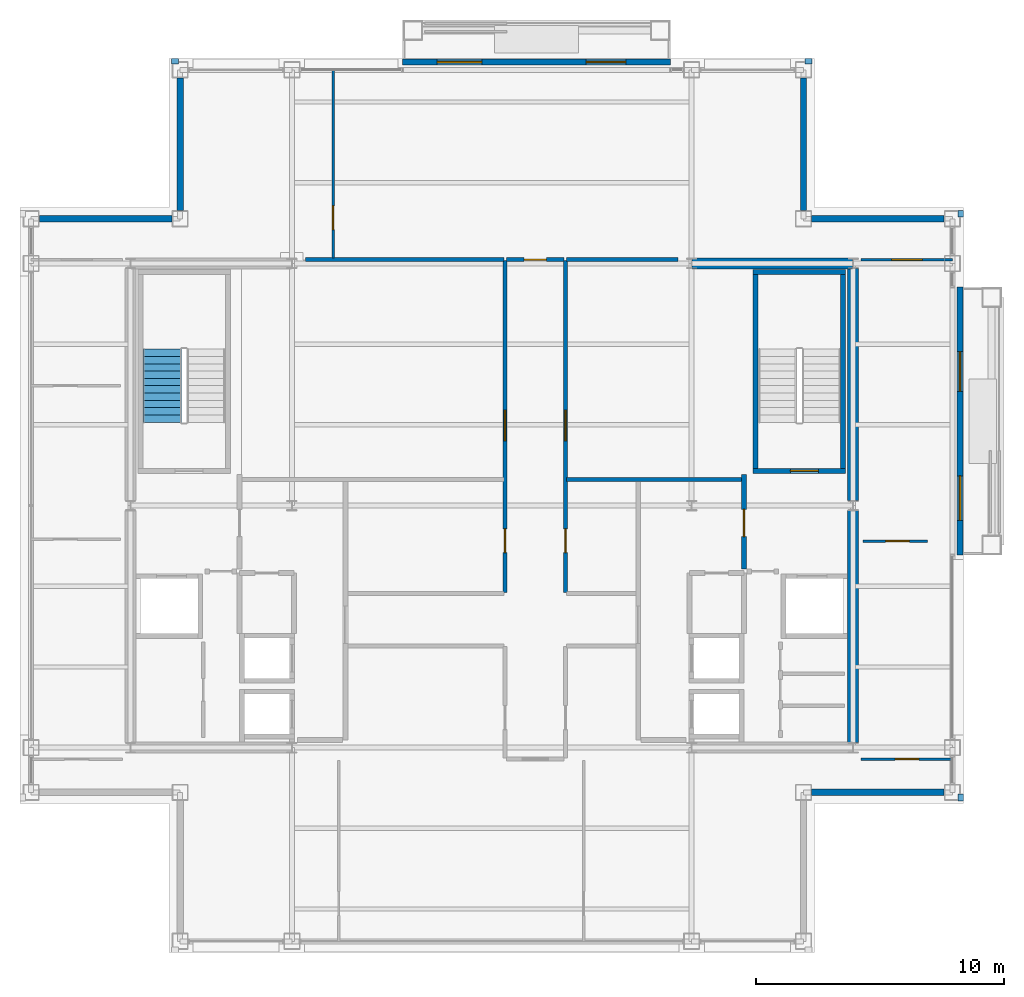
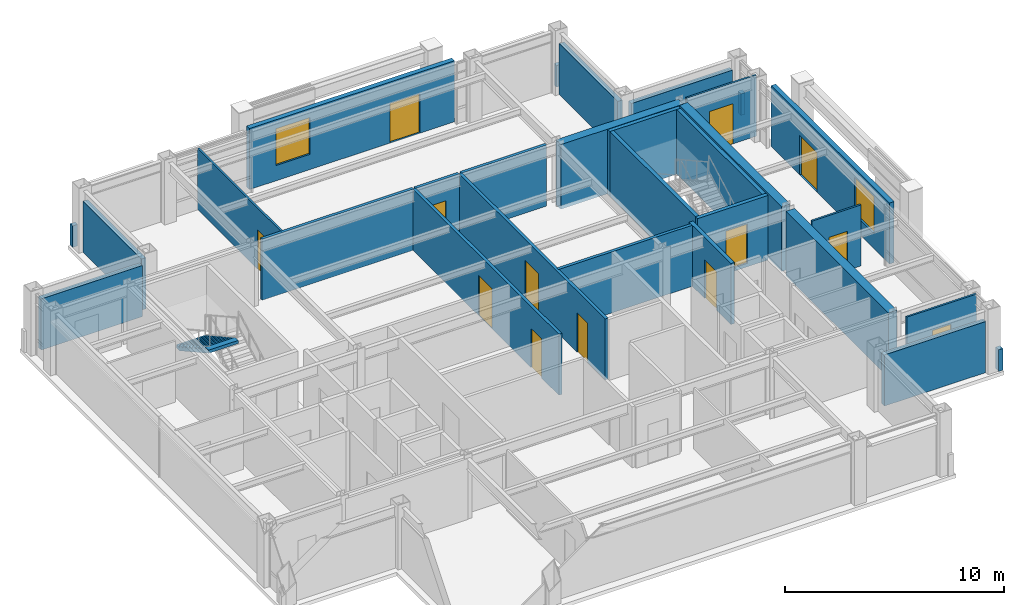
# One storey, part 21 of 24: 29 walls, 13 doors, 2 windows, 1 stair flight, 15 openings, 1 element without a shape of its own.
"""IFC4 building model written with IfcOpenShell, lengths in metres."""

from ifc_helpers import new_model, si_unit, direction, frame, frame_2d, origin, place, context, subcontext, project, spatial, polyline, rectangle, outline, extrude, material, layer, layer_set, type_object, element, fill, aggregate, save


model = new_model("IFC4")

# Units and contexts
model_context = context("Model", 3, precision=1e-05, world=origin(), true_north=direction((0.0, 1.0)))
body_context = subcontext(model_context, "Body", "Model", "MODEL_VIEW")
ifc_project = project(units=[si_unit("LENGTHUNIT", "METRE"), si_unit("AREAUNIT", "SQUARE_METRE"), si_unit("VOLUMEUNIT", "CUBIC_METRE"), si_unit("PLANEANGLEUNIT", "RADIAN"), si_unit("MASSUNIT", "GRAM", prefix="KILO")], contexts=[model_context])

# Site, building, storey
site_placement = place(None, origin())
site = spatial("IfcSite", under=ifc_project, at=site_placement, CompositionType="ELEMENT")
building_placement = place(site_placement, origin())
building = spatial("IfcBuilding", under=site, at=building_placement, Name="Brelmoor Portico Tower", CompositionType="ELEMENT")
storey_placement = place(building_placement, frame((0.0, 0.0, 240.0)))
storey = spatial("IfcBuildingStorey", under=building, at=storey_placement, Name="L63", CompositionType="ELEMENT", Elevation=240.0)

# Walls
ifc_material_1 = material(Name="Concrete C50", Category="concrete")
ifc_layer_1 = layer(ifc_material_1, 0.449951171875)
ifc_layer_set_1 = layer_set([ifc_layer_1], Name="Concrete C50")
wall_type_1 = type_object("IfcWallType", Name="WL-CORE-450", PredefinedType="SHEAR", material=ifc_layer_set_1)
wall_1_placement = place(storey_placement, frame((8.070068359375, 9.75, -0.199951171875), z_axis=(0.0, 0.0, 1.0), x_axis=(1.0, 0.0, 0.0)))
element("IfcWall", 1, at=wall_1_placement, inside=storey, type_object=wall_type_1, Name="L63 EC North Shear Wall", PredefinedType="SHEAR", context=body_context, shape_type="SweptSolid", body=[
    extrude(rectangle(XDim=6.4599609375, YDim=0.449951171875, at=frame_2d((3.22998046875, 0.0))), origin(), (0.0, 0.0, 1.0), 3.599853515625),
])
for number, where, z_axis, x_axis, name in (
    (2, (14.550048828125, -9.550048828125, -0.199951171875), (0.0, 0.0, 1.0), (0.0, 1.0, 0.0), "L63 EC Outer South Shear Wall"),
    (3, (14.550048828125, 0.199951171875, -0.199951171875), (0.0, 0.0, 1.0), (0.0, 1.0, 0.0), "L63 EC Outer North Shear Wall"),
):
    element("IfcWall", number, at=place(storey_placement, frame(where, z_axis=z_axis, x_axis=x_axis)), inside=storey, type_object=wall_type_1, Name=name, PredefinedType="SHEAR", context=body_context, shape_type="SweptSolid", body=[
        extrude(rectangle(XDim=9.35009765625, YDim=0.449951171875, at=frame_2d((4.675048828125, 0.0))), origin(), (0.0, 0.0, 1.0), 3.599853515625),
    ])

# Wall, openings, door, window
ifc_material_2 = material(Name="Precast Concrete C40 Insulated Facade Wall", Category="concrete")
ifc_layer_2 = layer(ifc_material_2, 0.25)
ifc_layer_set_2 = layer_set([ifc_layer_2], Name="Precast Concrete C40 Insulated Facade Wall")
wall_type_2 = type_object("IfcWallType", Name="WL-EXT-250", PredefinedType="STANDARD", material=ifc_layer_set_2)
wall_2_placement = place(storey_placement, frame((-3.60009765625, 17.860107421875, 0.0), z_axis=(0.0, 0.0, 1.0), x_axis=(1.0, 0.0, 0.0)))
wall_2 = element("IfcWall", 4, at=wall_2_placement, inside=storey, type_object=wall_type_2, Name="L63 Loggia Threshold Wall N-1", PredefinedType="STANDARD", context=body_context, shape_type="SweptSolid", body=[
    extrude(rectangle(XDim=10.800048828125, YDim=0.25, at=frame_2d((5.39990234375, 0.0))), origin(), (0.0, 0.0, 1.0), 3.39990234375),
])
opening_1_placement = place(wall_2_placement, frame((7.39990234375, 0.0, 0.0)))
opening_1 = element("IfcOpeningElement", 5, at=opening_1_placement, cuts=wall_2, Name="Opening D-TB1", PredefinedType="OPENING", context=body_context, shape_type="SweptSolid", body=[
    extrude(rectangle(XDim=1.60009765625, YDim=2.199951171875, at=frame_2d((0.800048828125, 1.10009765625))), frame((0.0, 0.135009765625, 0.0), z_axis=(0.0, -1.0, 0.0), x_axis=(1.0, 0.0, 0.0)), (0.0, 0.0, 1.0), 0.27001953125),
])
opening_2_placement = place(wall_2_placement, frame((1.39990234375, 0.0, 0.85009765625)))
opening_2 = element("IfcOpeningElement", 6, at=opening_2_placement, cuts=wall_2, Name="Opening W-03C", PredefinedType="OPENING", context=body_context, shape_type="SweptSolid", body=[
    extrude(rectangle(XDim=1.800048828125, YDim=2.050048828125, at=frame_2d((0.89990234375, 1.02490234375))), frame((0.0, 0.135009765625, 0.0), z_axis=(0.0, -1.0, 0.0), x_axis=(1.0, 0.0, 0.0)), (0.0, 0.0, 1.0), 0.27001953125),
])
ifc_material_3 = material(Name="Double-Leaf Thermally Broken Terrace Door", Category="aluminium")
door_type_1 = type_object("IfcDoorType", Name="DR-BALCONY-1600", OperationType="NOTDEFINED", PredefinedType="DOOR", material=ifc_material_3)
door_1_placement = place(opening_1_placement, origin())
door_1 = element("IfcDoor", 7, at=door_1_placement, inside=storey, type_object=door_type_1, Name="D-2621 L63 Tree Balcony Double Door N", OperationType="DOUBLE_DOOR_SINGLE_SWING", OverallHeight=2.199951171875, OverallWidth=1.60009765625, PredefinedType="DOOR", context=body_context, shape_type="SweptSolid", body=[
    extrude(rectangle(XDim=1.60009765625, YDim=2.199951171875, at=frame_2d((0.800048828125, 1.10009765625))), frame((0.0, 0.02490234375, 0.0), z_axis=(0.0, -1.0, 0.0), x_axis=(1.0, 0.0, 0.0)), (0.0, 0.0, 1.0), 0.050048828125),
])
fill(opening_1, door_1)
ifc_material_4 = material(Name="Thermally Broken Aluminium Low-E Window", Category="aluminium")
window_type = type_object("IfcWindowType", Name="WN-LOGGIA-1800x2050", PartitioningType="SINGLE_PANEL", PredefinedType="WINDOW", material=ifc_material_4)
window_1_placement = place(opening_2_placement, origin())
window_1 = element("IfcWindow", 8, at=window_1_placement, inside=storey, type_object=window_type, Name="L63 Loggia Window N", OverallHeight=2.050048828125, OverallWidth=1.800048828125, PartitioningType="SINGLE_PANEL", PredefinedType="WINDOW", context=body_context, shape_type="SweptSolid", body=[
    extrude(rectangle(XDim=1.800048828125, YDim=2.050048828125, at=frame_2d((0.89990234375, 1.02490234375))), frame((0.0, 0.030029296875, 0.0), z_axis=(0.0, -1.0, 0.0), x_axis=(1.0, 0.0, 0.0)), (0.0, 0.0, 1.0), 0.06005859375),
])
fill(opening_2, window_1)

wall_3_placement = place(storey_placement, frame((18.860107421875, -2.0, 0.0), z_axis=(0.0, 0.0, 1.0), x_axis=(0.0, 1.0, 0.0)))
wall_3 = element("IfcWall", 9, at=wall_3_placement, inside=storey, type_object=wall_type_2, Name="L63 Loggia Threshold Wall E-1", PredefinedType="STANDARD", context=body_context, shape_type="SweptSolid", body=[
    extrude(rectangle(XDim=10.800048828125, YDim=0.25, at=frame_2d((5.39990234375, 0.0))), origin(), (0.0, 0.0, 1.0), 3.39990234375),
])
opening_3_placement = place(wall_3_placement, frame((6.60009765625, 0.0, 0.0)))
opening_3 = element("IfcOpeningElement", 10, at=opening_3_placement, cuts=wall_3, Name="Opening D-TB1", PredefinedType="OPENING", context=body_context, shape_type="SweptSolid", body=[
    extrude(rectangle(XDim=1.60009765625, YDim=2.199951171875, at=frame_2d((0.800048828125, 1.10009765625))), frame((0.0, 0.135009765625, 0.0), z_axis=(0.0, -1.0, 0.0), x_axis=(1.0, 0.0, 0.0)), (0.0, 0.0, 1.0), 0.27001953125),
])
opening_4_placement = place(wall_3_placement, frame((1.39990234375, 0.0, 0.85009765625)))
opening_4 = element("IfcOpeningElement", 11, at=opening_4_placement, cuts=wall_3, Name="Opening W-03C", PredefinedType="OPENING", context=body_context, shape_type="SweptSolid", body=[
    extrude(rectangle(XDim=1.800048828125, YDim=2.050048828125, at=frame_2d((0.89990234375, 1.02490234375))), frame((0.0, 0.135009765625, 0.0), z_axis=(0.0, -1.0, 0.0), x_axis=(1.0, 0.0, 0.0)), (0.0, 0.0, 1.0), 0.27001953125),
])
door_2_placement = place(opening_3_placement, origin())
door_2 = element("IfcDoor", 12, at=door_2_placement, inside=storey, type_object=door_type_1, Name="D-2620 L63 Tree Balcony Double Door E", OperationType="DOUBLE_DOOR_SINGLE_SWING", OverallHeight=2.199951171875, OverallWidth=1.60009765625, PredefinedType="DOOR", context=body_context, shape_type="SweptSolid", body=[
    extrude(rectangle(XDim=1.60009765625, YDim=2.199951171875, at=frame_2d((0.800048828125, 1.10009765625))), frame((0.0, 0.02490234375, 0.0), z_axis=(0.0, -1.0, 0.0), x_axis=(1.0, 0.0, 0.0)), (0.0, 0.0, 1.0), 0.050048828125),
])
fill(opening_3, door_2)
window_2_placement = place(opening_4_placement, origin())
window_2 = element("IfcWindow", 13, at=window_2_placement, inside=storey, type_object=window_type, Name="L63 Loggia Window E", OverallHeight=2.050048828125, OverallWidth=1.800048828125, PartitioningType="SINGLE_PANEL", PredefinedType="WINDOW", context=body_context, shape_type="SweptSolid", body=[
    extrude(rectangle(XDim=1.800048828125, YDim=2.050048828125, at=frame_2d((0.89990234375, 1.02490234375))), frame((0.0, 0.030029296875, 0.0), z_axis=(0.0, -1.0, 0.0), x_axis=(1.0, 0.0, 0.0)), (0.0, 0.0, 1.0), 0.06005859375),
])
fill(opening_4, window_2)

# Walls
for number, where, z_axis, x_axis, name in (
    (14, (12.885009765625, -11.550048828125, 0.0), (0.0, 0.0, 1.0), (1.0, 0.0, 0.0), "L63 Corner Notch Facade Wall NSEH1"),
    (15, (-18.215087890625, 11.550048828125, 0.0), (0.0, 0.0, 1.0), (1.0, 0.0, 0.0), "L63 Corner Notch Facade Wall NNWH1"),
    (16, (-12.550048828125, 11.885009765625, 0.0), (0.0, 0.0, 1.0), (0.0, 1.0, 0.0), "L63 Corner Notch Facade Wall NNWV1"),
    (17, (12.885009765625, 11.550048828125, 0.0), (0.0, 0.0, 1.0), (1.0, 0.0, 0.0), "L63 Corner Notch Facade Wall NNEH1"),
    (18, (12.550048828125, 11.885009765625, 0.0), (0.0, 0.0, 1.0), (0.0, 1.0, 0.0), "L63 Corner Notch Facade Wall NNEV1"),
):
    element("IfcWall", number, at=place(storey_placement, frame(where, z_axis=z_axis, x_axis=x_axis)), inside=storey, type_object=wall_type_2, Name=name, PredefinedType="STANDARD", context=body_context, shape_type="SweptSolid", body=[
        extrude(rectangle(XDim=5.330078125, YDim=0.25, at=frame_2d((2.6650390625, 0.0))), origin(), (0.0, 0.0, 1.0), 2.85009765625),
    ])
ifc_material_5 = material(Name="Concrete C40 Parapet Upstand", Category="concrete")
ifc_layer_3 = layer(ifc_material_5, 0.219970703125)
ifc_layer_set_3 = layer_set([ifc_layer_3], Name="Concrete C40 Parapet Upstand")
wall_type_3 = type_object("IfcWallType", Name="WL-PARAPET-220", PredefinedType="PARAPET", material=ifc_layer_set_3)
for number, where, z_axis, x_axis, name in (
    (19, (18.889892578125, -11.889892578125, 0.0), (0.0, 0.0, 1.0), (0.0, 1.0, 0.0), "L63 Chamfer Vertex Parapet Pier SE2"),
    (20, (-12.889892578125, 17.889892578125, 0.0), (0.0, 0.0, 1.0), (1.0, 0.0, 0.0), "L63 Chamfer Vertex Parapet Pier NW1"),
    (21, (12.6201171875, 17.889892578125, 0.0), (0.0, 0.0, 1.0), (1.0, 0.0, 0.0), "L63 Chamfer Vertex Parapet Pier NE1"),
    (22, (18.889892578125, 11.6201171875, 0.0), (0.0, 0.0, 1.0), (0.0, 1.0, 0.0), "L63 Chamfer Vertex Parapet Pier NE2"),
):
    element("IfcWall", number, at=place(storey_placement, frame(where, z_axis=z_axis, x_axis=x_axis)), inside=storey, type_object=wall_type_3, Name=name, PredefinedType="PARAPET", context=body_context, shape_type="SweptSolid", body=[
        extrude(rectangle(XDim=0.269775390625, YDim=0.219970703125, at=frame_2d((0.134765625, 0.0))), origin(), (0.0, 0.0, 1.0), 1.199951171875),
    ])

# Wall, opening, door
ifc_material_6 = material(Name="Demountable Glazed Office Partition", Category="aluminium")
ifc_layer_4 = layer(ifc_material_6, 0.10009765625)
ifc_layer_set_4 = layer_set([ifc_layer_4], Name="Demountable Glazed Office Partition")
wall_type_4 = type_object("IfcWallType", Name="WL-PART-100", PredefinedType="PARTITIONING", material=ifc_layer_set_4)
wall_4_placement = place(storey_placement, frame((-6.3896484375, 9.9599609375, 0.0), z_axis=(0.0, 0.0, 1.0), x_axis=(0.0, 1.0, 0.0)))
wall_4 = element("IfcWall", 23, at=wall_4_placement, inside=storey, type_object=wall_type_4, Name="L63 North Suite Partition 1", PredefinedType="PARTITIONING", context=body_context, shape_type="SweptSolid", body=[
    extrude(rectangle(XDim=7.60009765625, YDim=0.10009765625, at=frame_2d((3.800048828125, 0.0))), origin(), (0.0, 0.0, 1.0), 3.39990234375),
])
opening_5_placement = place(wall_4_placement, frame((1.14990234375, 0.0, 0.0)))
opening_5 = element("IfcOpeningElement", 24, at=opening_5_placement, cuts=wall_4, Name="Opening D-IN2", PredefinedType="OPENING", context=body_context, shape_type="SweptSolid", body=[
    extrude(rectangle(XDim=0.9599609375, YDim=2.179931640625, at=frame_2d((0.47998046875, 1.08984375))), frame((0.0, 0.06005859375, 0.0), z_axis=(0.0, -1.0, 0.0), x_axis=(1.0, 0.0, 0.0)), (0.0, 0.0, 1.0), 0.1201171875),
])
ifc_material_7 = material(Name="Lacquered Timber Suite Door", Category="wood")
door_type_2 = type_object("IfcDoorType", Name="DR-INT-950", OperationType="NOTDEFINED", PredefinedType="DOOR", material=ifc_material_7)
door_3_placement = place(opening_5_placement, origin())
door_3 = element("IfcDoor", 25, at=door_3_placement, inside=storey, type_object=door_type_2, Name="D-2610 L63 North Suite Connecting Door 1", OperationType="SINGLE_SWING_RIGHT", OverallHeight=2.179931640625, OverallWidth=0.9599609375, PredefinedType="DOOR", context=body_context, shape_type="SweptSolid", body=[
    extrude(rectangle(XDim=0.9599609375, YDim=2.179931640625, at=frame_2d((0.47998046875, 1.08984375))), frame((0.0, 0.02490234375, 0.0), z_axis=(0.0, -1.0, 0.0), x_axis=(1.0, 0.0, 0.0)), (0.0, 0.0, 1.0), 0.050048828125),
])
fill(opening_5, door_3)

wall_5_placement = place(storey_placement, frame((14.8798828125, 9.89990234375, 0.0), z_axis=(0.0, 0.0, 1.0), x_axis=(1.0, 0.0, 0.0)))
wall_5 = element("IfcWall", 26, at=wall_5_placement, inside=storey, type_object=wall_type_4, Name="L63 North Wing Suite Wall ER", PredefinedType="PARTITIONING", context=body_context, shape_type="SweptSolid", body=[
    extrude(rectangle(XDim=3.68017578125, YDim=0.10009765625, at=frame_2d((1.840087890625, 0.0))), origin(), (0.0, 0.0, 1.0), 3.39990234375),
])
opening_6_placement = place(wall_5_placement, frame((1.219970703125, 0.0, 0.0)))
opening_6 = element("IfcOpeningElement", 27, at=opening_6_placement, cuts=wall_5, Name="Opening D-SU1", PredefinedType="OPENING", context=body_context, shape_type="SweptSolid", body=[
    extrude(rectangle(XDim=1.239990234375, YDim=2.239990234375, at=frame_2d((0.6201171875, 1.1201171875))), frame((0.0, 0.06005859375, 0.0), z_axis=(0.0, -1.0, 0.0), x_axis=(1.0, 0.0, 0.0)), (0.0, 0.0, 1.0), 0.1201171875),
])
ifc_material_8 = material(Name="Glazed Timber Executive Suite Door", Category="wood")
door_type_3 = type_object("IfcDoorType", Name="DR-SUITE-1200", OperationType="NOTDEFINED", PredefinedType="DOOR", material=ifc_material_8)
door_4_placement = place(opening_6_placement, origin())
door_4 = element("IfcDoor", 28, at=door_4_placement, inside=storey, type_object=door_type_3, Name="D-2611 L63 ER Wing Suite Connecting Door", OperationType="SINGLE_SWING_LEFT", OverallHeight=2.239990234375, OverallWidth=1.239990234375, PredefinedType="DOOR", context=body_context, shape_type="SweptSolid", body=[
    extrude(rectangle(XDim=1.239990234375, YDim=2.239990234375, at=frame_2d((0.6201171875, 1.1201171875))), frame((0.0, 0.02490234375, 0.0), z_axis=(0.0, -1.0, 0.0), x_axis=(1.0, 0.0, 0.0)), (0.0, 0.0, 1.0), 0.050048828125),
])
fill(opening_6, door_4)

wall_6_placement = place(storey_placement, frame((14.8798828125, -10.2099609375, 0.0), z_axis=(0.0, 0.0, 1.0), x_axis=(1.0, 0.0, 0.0)))
wall_6 = element("IfcWall", 29, at=wall_6_placement, inside=storey, type_object=wall_type_4, Name="L63 South Wing Closure ER", PredefinedType="PARTITIONING", context=body_context, shape_type="SweptSolid", body=[
    extrude(rectangle(XDim=3.68017578125, YDim=0.10009765625, at=frame_2d((1.840087890625, 0.0))), origin(), (0.0, 0.0, 1.0), 3.39990234375),
])
opening_7_placement = place(wall_6_placement, frame((1.360107421875, 0.0, 0.0)))
opening_7 = element("IfcOpeningElement", 30, at=opening_7_placement, cuts=wall_6, Name="Opening D-IN2", PredefinedType="OPENING", context=body_context, shape_type="SweptSolid", body=[
    extrude(rectangle(XDim=0.9599609375, YDim=2.179931640625, at=frame_2d((0.47998046875, 1.08984375))), frame((0.0, 0.06005859375, 0.0), z_axis=(0.0, -1.0, 0.0), x_axis=(1.0, 0.0, 0.0)), (0.0, 0.0, 1.0), 0.1201171875),
])
door_5_placement = place(opening_7_placement, origin())
door_5 = element("IfcDoor", 31, at=door_5_placement, inside=storey, type_object=door_type_2, Name="D-2618 L63 ER Wing South Suite Door", OperationType="SINGLE_SWING_RIGHT", OverallHeight=2.179931640625, OverallWidth=0.9599609375, PredefinedType="DOOR", context=body_context, shape_type="SweptSolid", body=[
    extrude(rectangle(XDim=0.9599609375, YDim=2.179931640625, at=frame_2d((0.47998046875, 1.08984375))), frame((0.0, 0.02490234375, 0.0), z_axis=(0.0, -1.0, 0.0), x_axis=(1.0, 0.0, 0.0)), (0.0, 0.0, 1.0), 0.050048828125),
])
fill(opening_7, door_5)

wall_7_placement = place(storey_placement, frame((14.9599609375, -1.429931640625, 0.0), z_axis=(0.0, 0.0, 1.0), x_axis=(1.0, 0.0, 0.0)))
wall_7 = element("IfcWall", 32, at=wall_7_placement, inside=storey, type_object=wall_type_4, Name="L63 E Wing Partition 1", PredefinedType="PARTITIONING", context=body_context, shape_type="SweptSolid", body=[
    extrude(rectangle(XDim=2.590087890625, YDim=0.10009765625, at=frame_2d((1.294921875, 0.0))), origin(), (0.0, 0.0, 1.0), 3.39990234375),
])
opening_8_placement = place(wall_7_placement, frame((0.89990234375, 0.0, 0.0)))
opening_8 = element("IfcOpeningElement", 33, at=opening_8_placement, cuts=wall_7, Name="Opening D-IN2", PredefinedType="OPENING", context=body_context, shape_type="SweptSolid", body=[
    extrude(rectangle(XDim=0.9599609375, YDim=2.179931640625, at=frame_2d((0.47998046875, 1.08984375))), frame((0.0, 0.06005859375, 0.0), z_axis=(0.0, -1.0, 0.0), x_axis=(1.0, 0.0, 0.0)), (0.0, 0.0, 1.0), 0.1201171875),
])
door_6_placement = place(opening_8_placement, origin())
door_6 = element("IfcDoor", 34, at=door_6_placement, inside=storey, type_object=door_type_2, Name="D-2622 L63 E Wing Suite Connecting Door 1", OperationType="SINGLE_SWING_LEFT", OverallHeight=2.179931640625, OverallWidth=0.9599609375, PredefinedType="DOOR", context=body_context, shape_type="SweptSolid", body=[
    extrude(rectangle(XDim=0.9599609375, YDim=2.179931640625, at=frame_2d((0.47998046875, 1.08984375))), frame((0.0, 0.02490234375, 0.0), z_axis=(0.0, -1.0, 0.0), x_axis=(1.0, 0.0, 0.0)), (0.0, 0.0, 1.0), 0.050048828125),
])
fill(opening_8, door_6)

# Wall, openings, doors
ifc_material_9 = material(Name="Twin-Frame Acoustic Partition", Category="gypsum")
ifc_layer_5 = layer(ifc_material_9, 0.159912109375)
ifc_layer_set_5 = layer_set([ifc_layer_5], Name="Twin-Frame Acoustic Partition")
wall_type_5 = type_object("IfcWallType", Name="WL-PART-160", PredefinedType="PARTITIONING", material=ifc_layer_set_5)
wall_8_placement = place(storey_placement, frame((0.530029296875, -3.5, 0.0), z_axis=(0.0, 0.0, 1.0), x_axis=(0.0, 1.0, 0.0)))
wall_8 = element("IfcWall", 35, at=wall_8_placement, inside=storey, type_object=wall_type_5, Name="L63 Central Cross West Wall", PredefinedType="PARTITIONING", context=body_context, shape_type="SweptSolid", body=[
    extrude(rectangle(XDim=13.360107421875, YDim=0.159912109375, at=frame_2d((6.68017578125, 0.0))), origin(), (0.0, 0.0, 1.0), 3.39990234375),
])
opening_9_placement = place(wall_8_placement, frame((6.10009765625, 0.0, 0.0)))
opening_9 = element("IfcOpeningElement", 36, at=opening_9_placement, cuts=wall_8, Name="Opening D-SU1", PredefinedType="OPENING", context=body_context, shape_type="SweptSolid", body=[
    extrude(rectangle(XDim=1.239990234375, YDim=2.239990234375, at=frame_2d((0.6201171875, 1.1201171875))), frame((0.0, 0.08984375, 0.0), z_axis=(0.0, -1.0, 0.0), x_axis=(1.0, 0.0, 0.0)), (0.0, 0.0, 1.0), 0.179931640625),
])
opening_10_placement = place(wall_8_placement, frame((1.60009765625, 0.0, 0.0)))
opening_10 = element("IfcOpeningElement", 37, at=opening_10_placement, cuts=wall_8, Name="Opening D-IN2", PredefinedType="OPENING", context=body_context, shape_type="SweptSolid", body=[
    extrude(rectangle(XDim=0.9599609375, YDim=2.179931640625, at=frame_2d((0.47998046875, 1.08984375))), frame((0.0, 0.08984375, 0.0), z_axis=(0.0, -1.0, 0.0), x_axis=(1.0, 0.0, 0.0)), (0.0, 0.0, 1.0), 0.179931640625),
])
door_7_placement = place(opening_10_placement, origin())
door_7 = element("IfcDoor", 38, at=door_7_placement, inside=storey, type_object=door_type_2, Name="D-2595 L63 Staff Pantry Door", OperationType="SINGLE_SWING_LEFT", OverallHeight=2.179931640625, OverallWidth=0.9599609375, PredefinedType="DOOR", context=body_context, shape_type="SweptSolid", body=[
    extrude(rectangle(XDim=0.9599609375, YDim=2.179931640625, at=frame_2d((0.47998046875, 1.08984375))), frame((0.0, 0.02490234375, 0.0), z_axis=(0.0, -1.0, 0.0), x_axis=(1.0, 0.0, 0.0)), (0.0, 0.0, 1.0), 0.050048828125),
])
fill(opening_10, door_7)
door_8_placement = place(opening_9_placement, origin())
door_8 = element("IfcDoor", 39, at=door_8_placement, inside=storey, type_object=door_type_3, Name="D-2596 L63 West Reclaimed Studio Door", OperationType="SINGLE_SWING_RIGHT", OverallHeight=2.239990234375, OverallWidth=1.239990234375, PredefinedType="DOOR", context=body_context, shape_type="SweptSolid", body=[
    extrude(rectangle(XDim=1.239990234375, YDim=2.239990234375, at=frame_2d((0.6201171875, 1.1201171875))), frame((0.0, 0.02490234375, 0.0), z_axis=(0.0, -1.0, 0.0), x_axis=(1.0, 0.0, 0.0)), (0.0, 0.0, 1.0), 0.050048828125),
])
fill(opening_9, door_8)

# Walls
wall_9_placement = place(storey_placement, frame((-7.5, 9.89990234375, 0.0), z_axis=(0.0, 0.0, 1.0), x_axis=(1.0, 0.0, 0.0)))
element("IfcWall", 40, at=wall_9_placement, inside=storey, type_object=wall_type_5, Name="L63 West Reclaimed Suite North Wall", PredefinedType="PARTITIONING", context=body_context, shape_type="SweptSolid", body=[
    extrude(rectangle(XDim=7.989990234375, YDim=0.159912109375, at=frame_2d((3.9951171875, 0.0))), origin(), (0.0, 0.0, 1.0), 3.39990234375),
])
wall_10_placement = place(storey_placement, frame((3.010009765625, 1.050048828125, 0.0), z_axis=(0.0, 0.0, 1.0), x_axis=(1.0, 0.0, 0.0)))
element("IfcWall", 41, at=wall_10_placement, inside=storey, type_object=wall_type_5, Name="L63 East Suite South Wall", PredefinedType="PARTITIONING", context=body_context, shape_type="SweptSolid", body=[
    extrude(rectangle(XDim=7.050048828125, YDim=0.159912109375, at=frame_2d((3.52490234375, 0.0))), origin(), (0.0, 0.0, 1.0), 3.39990234375),
])

# Wall, openings, doors
wall_11_placement = place(storey_placement, frame((2.969970703125, -3.5, 0.0), z_axis=(0.0, 0.0, 1.0), x_axis=(0.0, 1.0, 0.0)))
wall_11 = element("IfcWall", 42, at=wall_11_placement, inside=storey, type_object=wall_type_5, Name="L63 Central Cross East Wall", PredefinedType="PARTITIONING", context=body_context, shape_type="SweptSolid", body=[
    extrude(rectangle(XDim=13.360107421875, YDim=0.159912109375, at=frame_2d((6.68017578125, 0.0))), origin(), (0.0, 0.0, 1.0), 3.39990234375),
])
opening_11_placement = place(wall_11_placement, frame((6.10009765625, 0.0, 0.0)))
opening_11 = element("IfcOpeningElement", 43, at=opening_11_placement, cuts=wall_11, Name="Opening D-SU1", PredefinedType="OPENING", context=body_context, shape_type="SweptSolid", body=[
    extrude(rectangle(XDim=1.239990234375, YDim=2.239990234375, at=frame_2d((0.6201171875, 1.1201171875))), frame((0.0, 0.08984375, 0.0), z_axis=(0.0, -1.0, 0.0), x_axis=(1.0, 0.0, 0.0)), (0.0, 0.0, 1.0), 0.179931640625),
])
opening_12_placement = place(wall_11_placement, frame((1.60009765625, 0.0, 0.0)))
opening_12 = element("IfcOpeningElement", 44, at=opening_12_placement, cuts=wall_11, Name="Opening D-IN2", PredefinedType="OPENING", context=body_context, shape_type="SweptSolid", body=[
    extrude(rectangle(XDim=0.9599609375, YDim=2.179931640625, at=frame_2d((0.47998046875, 1.08984375))), frame((0.0, 0.08984375, 0.0), z_axis=(0.0, -1.0, 0.0), x_axis=(1.0, 0.0, 0.0)), (0.0, 0.0, 1.0), 0.179931640625),
])
door_9_placement = place(opening_12_placement, origin())
door_9 = element("IfcDoor", 45, at=door_9_placement, inside=storey, type_object=door_type_2, Name="D-2591 L63 Client Project Office Door", OperationType="SINGLE_SWING_LEFT", OverallHeight=2.179931640625, OverallWidth=0.9599609375, PredefinedType="DOOR", context=body_context, shape_type="SweptSolid", body=[
    extrude(rectangle(XDim=0.9599609375, YDim=2.179931640625, at=frame_2d((0.47998046875, 1.08984375))), frame((0.0, 0.02490234375, 0.0), z_axis=(0.0, -1.0, 0.0), x_axis=(1.0, 0.0, 0.0)), (0.0, 0.0, 1.0), 0.050048828125),
])
fill(opening_12, door_9)
door_10_placement = place(opening_11_placement, origin())
door_10 = element("IfcDoor", 46, at=door_10_placement, inside=storey, type_object=door_type_3, Name="D-2592 L63 East Reclaimed Studio Door", OperationType="SINGLE_SWING_RIGHT", OverallHeight=2.239990234375, OverallWidth=1.239990234375, PredefinedType="DOOR", context=body_context, shape_type="SweptSolid", body=[
    extrude(rectangle(XDim=1.239990234375, YDim=2.239990234375, at=frame_2d((0.6201171875, 1.1201171875))), frame((0.0, 0.02490234375, 0.0), z_axis=(0.0, -1.0, 0.0), x_axis=(1.0, 0.0, 0.0)), (0.0, 0.0, 1.0), 0.050048828125),
])
fill(opening_11, door_10)

# Wall
wall_12_placement = place(storey_placement, frame((3.010009765625, 9.89990234375, 0.0), z_axis=(0.0, 0.0, 1.0), x_axis=(1.0, 0.0, 0.0)))
element("IfcWall", 47, at=wall_12_placement, inside=storey, type_object=wall_type_5, Name="L63 East Suite North Wall", PredefinedType="PARTITIONING", context=body_context, shape_type="SweptSolid", body=[
    extrude(rectangle(XDim=4.489990234375, YDim=0.159912109375, at=frame_2d((2.2451171875, 0.0))), origin(), (0.0, 0.0, 1.0), 3.39990234375),
])

# Wall, opening, door
wall_13_placement = place(storey_placement, frame((0.60009765625, 9.89990234375, 0.0), z_axis=(0.0, 0.0, 1.0), x_axis=(1.0, 0.0, 0.0)))
wall_13 = element("IfcWall", 48, at=wall_13_placement, inside=storey, type_object=wall_type_5, Name="L63 North Corridor Partition", PredefinedType="PARTITIONING", context=body_context, shape_type="SweptSolid", body=[
    extrude(rectangle(XDim=2.2998046875, YDim=0.159912109375, at=frame_2d((1.14990234375, 0.0))), origin(), (0.0, 0.0, 1.0), 3.39990234375),
])
opening_13_placement = place(wall_13_placement, frame((0.699951171875, 0.0, 0.0)))
opening_13 = element("IfcOpeningElement", 49, at=opening_13_placement, cuts=wall_13, Name="Opening D-IN1", PredefinedType="OPENING", context=body_context, shape_type="SweptSolid", body=[
    extrude(rectangle(XDim=0.89990234375, YDim=2.14990234375, at=frame_2d((0.449951171875, 1.074951171875))), frame((0.0, 0.08984375, 0.0), z_axis=(0.0, -1.0, 0.0), x_axis=(1.0, 0.0, 0.0)), (0.0, 0.0, 1.0), 0.179931640625),
])
door_type_4 = type_object("IfcDoorType", Name="DR-INT-900", OperationType="NOTDEFINED", PredefinedType="DOOR", material=ifc_material_7)
door_11_placement = place(opening_13_placement, origin())
door_11 = element("IfcDoor", 50, at=door_11_placement, inside=storey, type_object=door_type_4, Name="D-2609 L63 North Design Workshop 2 Door", OperationType="SINGLE_SWING_LEFT", OverallHeight=2.14990234375, OverallWidth=0.89990234375, PredefinedType="DOOR", context=body_context, shape_type="SweptSolid", body=[
    extrude(rectangle(XDim=0.89990234375, YDim=2.14990234375, at=frame_2d((0.449951171875, 1.074951171875))), frame((0.0, 0.02490234375, 0.0), z_axis=(0.0, -1.0, 0.0), x_axis=(1.0, 0.0, 0.0)), (0.0, 0.0, 1.0), 0.050048828125),
])
fill(opening_13, door_11)

ifc_material_10 = material(Name="Double-Stud Gypsum Fire Partition", Category="gypsum")
ifc_layer_6 = layer(ifc_material_10, 0.199951171875)
ifc_layer_set_6 = layer_set([ifc_layer_6], Name="Double-Stud Gypsum Fire Partition")
wall_type_6 = type_object("IfcWallType", Name="WL-PART-200", PredefinedType="PARTITIONING", material=ifc_layer_set_6)
wall_14_placement = place(storey_placement, frame((10.159912109375, -2.550048828125, 0.0), z_axis=(0.0, 0.0, 1.0), x_axis=(0.0, 1.0, 0.0)))
wall_14 = element("IfcWall", 51, at=wall_14_placement, inside=storey, type_object=wall_type_6, Name="L63 E Firefighting Lobby Wall", PredefinedType="PARTITIONING", context=body_context, shape_type="SweptSolid", body=[
    extrude(rectangle(XDim=3.800048828125, YDim=0.199951171875, at=frame_2d((1.89990234375, 0.0))), origin(), (0.0, 0.0, 1.0), 3.39990234375),
])
opening_14_placement = place(wall_14_placement, frame((1.300048828125, 0.0, 0.0)))
opening_14 = element("IfcOpeningElement", 52, at=opening_14_placement, cuts=wall_14, Name="Opening D-FR1", PredefinedType="OPENING", context=body_context, shape_type="SweptSolid", body=[
    extrude(rectangle(XDim=1.10009765625, YDim=2.14990234375, at=frame_2d((0.550048828125, 1.074951171875))), frame((0.0, 0.10986328125, 0.0), z_axis=(0.0, -1.0, 0.0), x_axis=(1.0, 0.0, 0.0)), (0.0, 0.0, 1.0), 0.219970703125),
])
ifc_material_11 = material(Name="Painted Galvanised Steel Fire Door", Category="steel")
door_type_5 = type_object("IfcDoorType", Name="DR-FIRE-1100", OperationType="NOTDEFINED", PredefinedType="DOOR", material=ifc_material_11)
door_12_placement = place(opening_14_placement, origin())
door_12 = element("IfcDoor", 53, at=door_12_placement, inside=storey, type_object=door_type_5, Name="D-2605 L63 E Firefighting Lobby Door", OperationType="SINGLE_SWING_RIGHT", OverallHeight=2.14990234375, OverallWidth=1.10009765625, PredefinedType="DOOR", context=body_context, shape_type="SweptSolid", body=[
    extrude(rectangle(XDim=1.10009765625, YDim=2.14990234375, at=frame_2d((0.550048828125, 1.074951171875))), frame((0.0, 0.02490234375, 0.0), z_axis=(0.0, -1.0, 0.0), x_axis=(1.0, 0.0, 0.0)), (0.0, 0.0, 1.0), 0.050048828125),
])
fill(opening_14, door_12)

# Wall
ifc_material_12 = material(Name="Concrete C40", Category="concrete")
ifc_layer_7 = layer(ifc_material_12, 0.199951171875)
ifc_layer_set_7 = layer_set([ifc_layer_7], Name="Concrete C40")
wall_type_7 = type_object("IfcWallType", Name="WL-SHAFT-RC200", PredefinedType="SOLIDWALL", material=ifc_layer_set_7)
wall_15_placement = place(storey_placement, frame((14.14990234375, 1.5, -0.199951171875), z_axis=(0.0, 0.0, 1.0), x_axis=(0.0, 1.0, 0.0)))
element("IfcWall", 54, at=wall_15_placement, inside=storey, type_object=wall_type_7, Name="L63 ST-E Structural Stair Wall Outer", PredefinedType="SOLIDWALL", context=body_context, shape_type="SweptSolid", body=[
    extrude(rectangle(XDim=7.800048828125, YDim=0.199951171875, at=frame_2d((3.89990234375, 0.0))), origin(), (0.0, 0.0, 1.0), 3.599853515625),
])

# Wall, opening, door
wall_16_placement = place(storey_placement, frame((10.530029296875, 1.39990234375, -0.199951171875), z_axis=(0.0, 0.0, 1.0), x_axis=(1.0, 0.0, 0.0)))
wall_16 = element("IfcWall", 55, at=wall_16_placement, inside=storey, type_object=wall_type_7, Name="L63 ST-E Structural Stair Wall S", PredefinedType="SOLIDWALL", context=body_context, shape_type="SweptSolid", body=[
    extrude(rectangle(XDim=3.719970703125, YDim=0.199951171875, at=frame_2d((1.85986328125, 0.0))), origin(), (0.0, 0.0, 1.0), 3.599853515625),
])
opening_15_placement = place(wall_16_placement, frame((1.5, 0.0, 0.199951171875)))
opening_15 = element("IfcOpeningElement", 56, at=opening_15_placement, cuts=wall_16, Name="Opening D-ST1", PredefinedType="OPENING", context=body_context, shape_type="SweptSolid", body=[
    extrude(rectangle(XDim=1.1201171875, YDim=2.179931640625, at=frame_2d((0.56005859375, 1.08984375))), frame((0.0, 0.10986328125, 0.0), z_axis=(0.0, -1.0, 0.0), x_axis=(1.0, 0.0, 0.0)), (0.0, 0.0, 1.0), 0.219970703125),
])
door_type_6 = type_object("IfcDoorType", Name="DR-STAIR-1100", OperationType="NOTDEFINED", PredefinedType="DOOR", material=ifc_material_11)
door_13_placement = place(opening_15_placement, origin())
door_13 = element("IfcDoor", 57, at=door_13_placement, inside=storey, type_object=door_type_6, Name="D-2616 L63 ST-E Protected Exit Stair Door", OperationType="SINGLE_SWING_RIGHT", OverallHeight=2.179931640625, OverallWidth=1.1201171875, PredefinedType="DOOR", context=body_context, shape_type="SweptSolid", body=[
    extrude(rectangle(XDim=1.1201171875, YDim=2.179931640625, at=frame_2d((0.56005859375, 1.08984375))), frame((0.0, 0.02490234375, 0.0), z_axis=(0.0, -1.0, 0.0), x_axis=(1.0, 0.0, 0.0)), (0.0, 0.0, 1.0), 0.050048828125),
])
fill(opening_15, door_13)

# Walls
wall_17_placement = place(storey_placement, frame((10.530029296875, 9.39990234375, -0.199951171875), z_axis=(0.0, 0.0, 1.0), x_axis=(1.0, 0.0, 0.0)))
element("IfcWall", 58, at=wall_17_placement, inside=storey, type_object=wall_type_7, Name="L63 ST-E Structural Stair Wall N", PredefinedType="SOLIDWALL", context=body_context, shape_type="SweptSolid", body=[
    extrude(rectangle(XDim=3.719970703125, YDim=0.199951171875, at=frame_2d((1.85986328125, 0.0))), origin(), (0.0, 0.0, 1.0), 3.599853515625),
])
wall_18_placement = place(storey_placement, frame((10.6298828125, 1.5, -0.199951171875), z_axis=(0.0, 0.0, 1.0), x_axis=(0.0, 1.0, 0.0)))
element("IfcWall", 59, at=wall_18_placement, inside=storey, type_object=wall_type_7, Name="L63 ST-E Structural Stair Wall Inner", PredefinedType="SOLIDWALL", context=body_context, shape_type="SweptSolid", body=[
    extrude(rectangle(XDim=7.800048828125, YDim=0.199951171875, at=frame_2d((3.89990234375, 0.0))), origin(), (0.0, 0.0, 1.0), 3.599853515625),
])

# Stair, stair flight
stair_type = type_object("IfcStairType", Name="ST-CORE-W", PredefinedType="HALF_TURN_STAIR", material=ifc_material_12)
stair_placement = place(storey_placement, origin())
stair = element("IfcStair", 60, at=stair_placement, inside=storey, type_object=stair_type, Name="L63 Protected Core Exit Stair ST-W", PredefinedType="HALF_TURN_STAIR")
stair_flight_type = type_object("IfcStairFlightType", Name="SF-CORE-1850", PredefinedType="STRAIGHT", material=ifc_material_12)
stair_flight_placement = place(storey_placement, frame((-13.27001953125, 6.300048828125, 1.800048828125), z_axis=(0.0, 0.0, 1.0), x_axis=(0.0, -1.0, 0.0)))
stair_flight = element("IfcStairFlight", 61, at=stair_flight_placement, type_object=stair_flight_type, Name="ST-W flight 2", NumberOfRisers=11, NumberOfTreads=10, PredefinedType="STRAIGHT", RiserHeight=0.163636364, TreadLength=0.295, context=body_context, shape_type="SweptSolid", body=[
    extrude(outline(polyline([(0.0, 0.0), (0.0, 0.16357421875), (0.294921875, 0.16357421875), (0.294921875, 0.327392578125), (0.590087890625, 0.327392578125), (0.590087890625, 0.490966796875), (0.885009765625, 0.490966796875), (0.885009765625, 0.654541015625), (1.179931640625, 0.654541015625), (1.179931640625, 0.818115234375), (1.47509765625, 0.818115234375), (1.47509765625, 0.98193359375), (1.77001953125, 0.98193359375), (1.77001953125, 1.1455078125), (2.06494140625, 1.1455078125), (2.06494140625, 1.30908203125), (2.360107421875, 1.30908203125), (2.360107421875, 1.47265625), (2.655029296875, 1.47265625), (2.655029296875, 1.636474609375), (2.949951171875, 1.636474609375), (2.949951171875, 1.800048828125), (2.949951171875, 1.46484375), (0.30908203125, 0.0), (0.0, 0.0)])), frame((0.0, 0.780029296875, 0.0), z_axis=(0.0, -1.0, 0.0), x_axis=(1.0, 0.0, 0.0)), (0.0, 0.0, 1.0), 1.56005859375),
])
aggregate(stair, [stair_flight])

save(model, "model.ifc")
